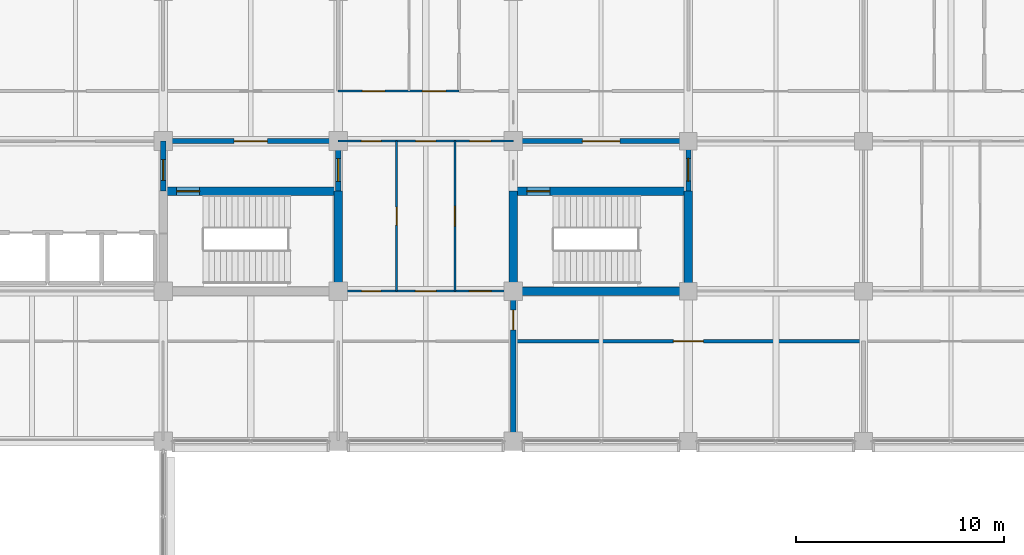
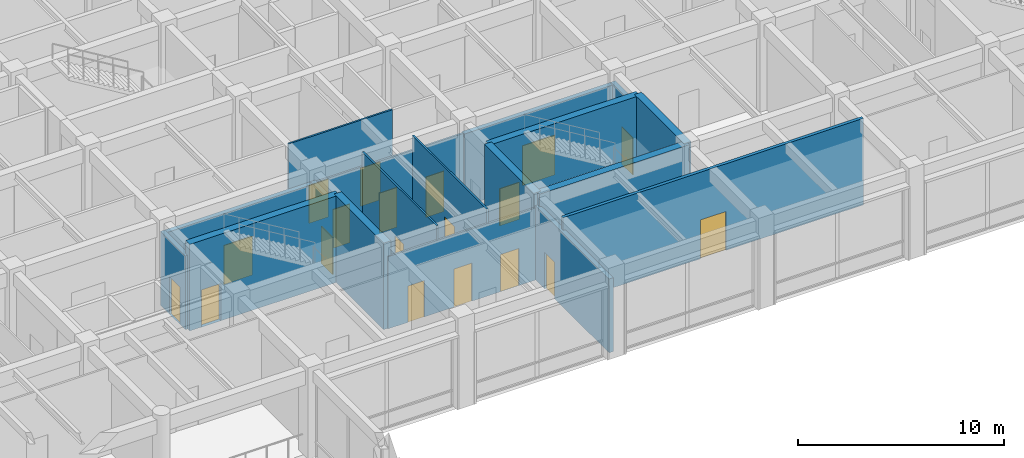
# One storey, part 32 of 51: 19 doors, 18 walls, 19 openings.
"""IFC4 building model written with IfcOpenShell, lengths in metres."""

from ifc_helpers import new_model, si_unit, direction, frame, frame_2d, origin, place, context, subcontext, project, spatial, rectangle, extrude, material, layer, layer_set, type_object, element, fill, save


model = new_model("IFC4")

# Units and contexts
model_context = context("Model", 3, precision=1e-05, world=origin(), true_north=direction((0.0, 1.0)))
body_context = subcontext(model_context, "Body", "Model", "MODEL_VIEW")
ifc_project = project(units=[si_unit("LENGTHUNIT", "METRE"), si_unit("AREAUNIT", "SQUARE_METRE"), si_unit("VOLUMEUNIT", "CUBIC_METRE"), si_unit("PLANEANGLEUNIT", "RADIAN"), si_unit("MASSUNIT", "GRAM", prefix="KILO")], contexts=[model_context])

# Site, building, storey
site_placement = place(None, origin())
site = spatial("IfcSite", under=ifc_project, at=site_placement, CompositionType="ELEMENT")
building_placement = place(site_placement, origin())
building = spatial("IfcBuilding", under=site, at=building_placement, Name="Chengyuan Square Courthouse", CompositionType="ELEMENT")
storey_placement = place(building_placement, frame((0.0, 0.0, 10.800048828125)))
storey = spatial("IfcBuildingStorey", under=building, at=storey_placement, Name="L03", CompositionType="ELEMENT", Elevation=10.800048828125)

# Wall, opening, door
ifc_material_1 = material(Name="Concrete C40", Category="concrete")
ifc_layer_1 = layer(ifc_material_1, 0.25)
ifc_layer_set_1 = layer_set([ifc_layer_1], Name="Concrete C40")
wall_type_1 = type_object("IfcWallType", Name="WL-FW1", PredefinedType="STANDARD", material=ifc_layer_set_1)
wall_1_placement = place(storey_placement, frame((100.800048828125, 93.60009765625, 0.0), z_axis=(0.0, 0.0, 1.0), x_axis=(1.0, 0.0, 0.0)))
wall_1 = element("IfcWall", 1, at=wall_1_placement, inside=storey, type_object=wall_type_1, Name="Interior Wall WL-L03-I1455", PredefinedType="STANDARD", context=body_context, shape_type="SweptSolid", body=[
    extrude(rectangle(XDim=8.39990234375, YDim=0.25, at=frame_2d((4.199951171875, 0.0))), origin(), (0.0, 0.0, 1.0), 4.27001953125),
])
opening_1_placement = place(wall_1_placement, frame((3.39990234375, 0.0, 0.0)))
opening_1 = element("IfcOpeningElement", 2, at=opening_1_placement, cuts=wall_1, Name="Opening DR-1337", PredefinedType="OPENING", context=body_context, shape_type="SweptSolid", body=[
    extrude(rectangle(XDim=1.60009765625, YDim=2.300048828125, at=frame_2d((0.800048828125, 1.14990234375))), frame((0.0, 0.136962890625, 0.0), z_axis=(0.0, -1.0, 0.0), x_axis=(1.0, 0.0, 0.0)), (0.0, 0.0, 1.0), 0.27392578125),
])
ifc_material_2 = material(Name="Steel Q235B Glazed Fire Door", Category="steel")
door_type_1 = type_object("IfcDoorType", Name="DT-17", OperationType="DOUBLE_DOOR_SINGLE_SWING", PredefinedType="DOOR", material=ifc_material_2)
door_1_placement = place(opening_1_placement, frame((1.60009765625, 0.0, 0.0), z_axis=(0.0, 0.0, 1.0), x_axis=(-1.0, 0.0, 0.0)))
door_1 = element("IfcDoor", 3, at=door_1_placement, inside=storey, type_object=door_type_1, Name="Interior Door DR-1337", OperationType="DOUBLE_DOOR_SINGLE_SWING", OverallHeight=2.300048828125, OverallWidth=1.60009765625, PredefinedType="DOOR", context=body_context, shape_type="SweptSolid", body=[
    extrude(rectangle(XDim=1.60009765625, YDim=2.300048828125, at=frame_2d((0.800048828125, 1.14990234375))), frame((0.0, 0.02490234375, 0.0), z_axis=(0.0, -1.0, 0.0), x_axis=(1.0, 0.0, 0.0)), (0.0, 0.0, 1.0), 0.050048828125),
])
fill(opening_1, door_1)

wall_2_placement = place(storey_placement, frame((117.60009765625, 93.60009765625, 0.0), z_axis=(0.0, 0.0, 1.0), x_axis=(1.0, 0.0, 0.0)))
wall_2 = element("IfcWall", 4, at=wall_2_placement, inside=storey, type_object=wall_type_1, Name="Interior Wall WL-L03-I1457", PredefinedType="STANDARD", context=body_context, shape_type="SweptSolid", body=[
    extrude(rectangle(XDim=8.39990234375, YDim=0.25, at=frame_2d((4.199951171875, 0.0))), origin(), (0.0, 0.0, 1.0), 4.27001953125),
])
opening_2_placement = place(wall_2_placement, frame((3.3125, 0.0, 0.0)))
opening_2 = element("IfcOpeningElement", 5, at=opening_2_placement, cuts=wall_2, Name="Opening DR-1342", PredefinedType="OPENING", context=body_context, shape_type="SweptSolid", body=[
    extrude(rectangle(XDim=1.800048828125, YDim=2.35009765625, at=frame_2d((0.89990234375, 1.175048828125))), frame((0.0, 0.136962890625, 0.0), z_axis=(0.0, -1.0, 0.0), x_axis=(1.0, 0.0, 0.0)), (0.0, 0.0, 1.0), 0.27392578125),
])
door_type_2 = type_object("IfcDoorType", Name="DT-18", OperationType="DOUBLE_DOOR_SINGLE_SWING", PredefinedType="DOOR", material=ifc_material_2)
door_2_placement = place(opening_2_placement, frame((1.800048828125, 0.0, 0.0), z_axis=(0.0, 0.0, 1.0), x_axis=(-1.0, 0.0, 0.0)))
door_2 = element("IfcDoor", 6, at=door_2_placement, inside=storey, type_object=door_type_2, Name="Interior Door DR-1342", OperationType="DOUBLE_DOOR_SINGLE_SWING", OverallHeight=2.35009765625, OverallWidth=1.800048828125, PredefinedType="DOOR", context=body_context, shape_type="SweptSolid", body=[
    extrude(rectangle(XDim=1.800048828125, YDim=2.35009765625, at=frame_2d((0.89990234375, 1.175048828125))), frame((0.0, 0.02490234375, 0.0), z_axis=(0.0, -1.0, 0.0), x_axis=(1.0, 0.0, 0.0)), (0.0, 0.0, 1.0), 0.050048828125),
])
fill(opening_2, door_2)

wall_3_placement = place(storey_placement, frame((100.800048828125, 91.199951171875, 0.0), z_axis=(0.0, 0.0, 1.0), x_axis=(0.0, 1.0, 0.0)))
wall_3 = element("IfcWall", 7, at=wall_3_placement, inside=storey, type_object=wall_type_1, Name="Interior Wall WL-L03-I1670", PredefinedType="STANDARD", context=body_context, shape_type="SweptSolid", body=[
    extrude(rectangle(XDim=2.400146484375, YDim=0.25, at=frame_2d((1.2001953125, 0.0))), origin(), (0.0, 0.0, 1.0), 4.369873046875),
])
opening_3_placement = place(wall_3_placement, frame((0.514892578125, 0.0, 0.0)))
opening_3 = element("IfcOpeningElement", 8, at=opening_3_placement, cuts=wall_3, Name="Opening DR-1336", PredefinedType="OPENING", context=body_context, shape_type="SweptSolid", body=[
    extrude(rectangle(XDim=1.0, YDim=2.199951171875, at=frame_2d((0.5, 1.10009765625))), frame((0.0, 0.136962890625, 0.0), z_axis=(0.0, -1.0, 0.0), x_axis=(1.0, 0.0, 0.0)), (0.0, 0.0, 1.0), 0.27392578125),
])
ifc_material_3 = material(Name="Steel Q235B Fire Door", Category="steel")
door_type_3 = type_object("IfcDoorType", Name="DT-11", OperationType="NOTDEFINED", PredefinedType="DOOR", material=ifc_material_3)
door_3_placement = place(opening_3_placement, origin())
door_3 = element("IfcDoor", 9, at=door_3_placement, inside=storey, type_object=door_type_3, Name="Interior Door DR-1336", OperationType="SINGLE_SWING_RIGHT", OverallHeight=2.199951171875, OverallWidth=1.0, PredefinedType="DOOR", context=body_context, shape_type="SweptSolid", body=[
    extrude(rectangle(XDim=1.0, YDim=2.199951171875, at=frame_2d((0.5, 1.10009765625))), frame((0.0, 0.02490234375, 0.0), z_axis=(0.0, -1.0, 0.0), x_axis=(1.0, 0.0, 0.0)), (0.0, 0.0, 1.0), 0.050048828125),
])
fill(opening_3, door_3)

wall_4_placement = place(storey_placement, frame((109.199951171875, 91.199951171875, 0.0), z_axis=(0.0, 0.0, 1.0), x_axis=(0.0, 1.0, 0.0)))
wall_4 = element("IfcWall", 10, at=wall_4_placement, inside=storey, type_object=wall_type_1, Name="Interior Wall WL-L03-I1678", PredefinedType="STANDARD", context=body_context, shape_type="SweptSolid", body=[
    extrude(rectangle(XDim=2.400146484375, YDim=0.25, at=frame_2d((1.2001953125, 0.0))), origin(), (0.0, 0.0, 1.0), 4.369873046875),
])
opening_4_placement = place(wall_4_placement, frame((0.465087890625, 0.0, 0.0)))
opening_4 = element("IfcOpeningElement", 11, at=opening_4_placement, cuts=wall_4, Name="Opening DR-1338", PredefinedType="OPENING", context=body_context, shape_type="SweptSolid", body=[
    extrude(rectangle(XDim=1.10009765625, YDim=2.199951171875, at=frame_2d((0.550048828125, 1.10009765625))), frame((0.0, 0.136962890625, 0.0), z_axis=(0.0, -1.0, 0.0), x_axis=(1.0, 0.0, 0.0)), (0.0, 0.0, 1.0), 0.27392578125),
])
door_type_4 = type_object("IfcDoorType", Name="DT-10", OperationType="NOTDEFINED", PredefinedType="DOOR", material=ifc_material_3)
door_4_placement = place(opening_4_placement, origin())
door_4 = element("IfcDoor", 12, at=door_4_placement, inside=storey, type_object=door_type_4, Name="Interior Door DR-1338", OperationType="SINGLE_SWING_LEFT", OverallHeight=2.199951171875, OverallWidth=1.10009765625, PredefinedType="DOOR", context=body_context, shape_type="SweptSolid", body=[
    extrude(rectangle(XDim=1.10009765625, YDim=2.199951171875, at=frame_2d((0.550048828125, 1.10009765625))), frame((0.0, 0.02490234375, 0.0), z_axis=(0.0, -1.0, 0.0), x_axis=(1.0, 0.0, 0.0)), (0.0, 0.0, 1.0), 0.050048828125),
])
fill(opening_4, door_4)

wall_5_placement = place(storey_placement, frame((117.60009765625, 79.239990234375, 0.0), z_axis=(0.0, 0.0, 1.0), x_axis=(0.0, 1.0, 0.0)))
wall_5 = element("IfcWall", 13, at=wall_5_placement, inside=storey, type_object=wall_type_1, Name="Interior Wall WL-L03-I1691", PredefinedType="STANDARD", context=body_context, shape_type="SweptSolid", body=[
    extrude(rectangle(XDim=7.159912109375, YDim=0.25, at=frame_2d((3.580078125, 0.0))), origin(), (0.0, 0.0, 1.0), 4.369873046875),
])
opening_5_placement = place(wall_5_placement, frame((5.300048828125, 0.0, 0.0)))
opening_5 = element("IfcOpeningElement", 14, at=opening_5_placement, cuts=wall_5, Name="Opening DR-1586", PredefinedType="OPENING", context=body_context, shape_type="SweptSolid", body=[
    extrude(rectangle(XDim=0.949951171875, YDim=2.14990234375, at=frame_2d((0.47509765625, 1.074951171875))), frame((0.0, 0.136962890625, 0.0), z_axis=(0.0, -1.0, 0.0), x_axis=(1.0, 0.0, 0.0)), (0.0, 0.0, 1.0), 0.27392578125),
])
door_type_5 = type_object("IfcDoorType", Name="DT-12", OperationType="NOTDEFINED", PredefinedType="DOOR", material=ifc_material_3)
door_5_placement = place(opening_5_placement, origin())
door_5 = element("IfcDoor", 15, at=door_5_placement, inside=storey, type_object=door_type_5, Name="Interior Door DR-1586", OperationType="SINGLE_SWING_LEFT", OverallHeight=2.14990234375, OverallWidth=0.949951171875, PredefinedType="DOOR", context=body_context, shape_type="SweptSolid", body=[
    extrude(rectangle(XDim=0.949951171875, YDim=2.14990234375, at=frame_2d((0.47509765625, 1.074951171875))), frame((0.0, 0.02490234375, 0.0), z_axis=(0.0, -1.0, 0.0), x_axis=(1.0, 0.0, 0.0)), (0.0, 0.0, 1.0), 0.050048828125),
])
fill(opening_5, door_5)

wall_6_placement = place(storey_placement, frame((126.0, 91.199951171875, 0.0), z_axis=(0.0, 0.0, 1.0), x_axis=(0.0, 1.0, 0.0)))
wall_6 = element("IfcWall", 16, at=wall_6_placement, inside=storey, type_object=wall_type_1, Name="Interior Wall WL-L03-I1700", PredefinedType="STANDARD", context=body_context, shape_type="SweptSolid", body=[
    extrude(rectangle(XDim=2.400146484375, YDim=0.25, at=frame_2d((1.2001953125, 0.0))), origin(), (0.0, 0.0, 1.0), 4.369873046875),
])
opening_6_placement = place(wall_6_placement, frame((0.4775390625, 0.0, 0.0)))
opening_6 = element("IfcOpeningElement", 17, at=opening_6_placement, cuts=wall_6, Name="Opening DR-1344", PredefinedType="OPENING", context=body_context, shape_type="SweptSolid", body=[
    extrude(rectangle(XDim=1.10009765625, YDim=2.199951171875, at=frame_2d((0.550048828125, 1.10009765625))), frame((0.0, 0.136962890625, 0.0), z_axis=(0.0, -1.0, 0.0), x_axis=(1.0, 0.0, 0.0)), (0.0, 0.0, 1.0), 0.27392578125),
])
door_6_placement = place(opening_6_placement, origin())
door_6 = element("IfcDoor", 18, at=door_6_placement, inside=storey, type_object=door_type_4, Name="Interior Door DR-1344", OperationType="SINGLE_SWING_LEFT", OverallHeight=2.199951171875, OverallWidth=1.10009765625, PredefinedType="DOOR", context=body_context, shape_type="SweptSolid", body=[
    extrude(rectangle(XDim=1.10009765625, YDim=2.199951171875, at=frame_2d((0.550048828125, 1.10009765625))), frame((0.0, 0.02490234375, 0.0), z_axis=(0.0, -1.0, 0.0), x_axis=(1.0, 0.0, 0.0)), (0.0, 0.0, 1.0), 0.050048828125),
])
fill(opening_6, door_6)

ifc_material_4 = material(Name="Double-Stud Acoustic Gypsum Courtroom Partition")
ifc_layer_2 = layer(ifc_material_4, 0.179931640625)
ifc_layer_set_2 = layer_set([ifc_layer_2], Name="Double-Stud Acoustic Gypsum Courtroom Partition")
wall_type_2 = type_object("IfcWallType", Name="WL-PT1", PredefinedType="STANDARD", material=ifc_layer_set_2)
wall_7_placement = place(storey_placement, frame((117.60009765625, 84.0, 0.0), z_axis=(0.0, 0.0, 1.0), x_axis=(1.0, 0.0, 0.0)))
wall_7 = element("IfcWall", 19, at=wall_7_placement, inside=storey, type_object=wall_type_2, Name="Interior Wall WL-L03-I1415", PredefinedType="STANDARD", context=body_context, shape_type="SweptSolid", body=[
    extrude(rectangle(XDim=16.7998046875, YDim=0.179931640625, at=frame_2d((8.39990234375, 0.0))), origin(), (0.0, 0.0, 1.0), 5.119873046875),
])
opening_7_placement = place(wall_7_placement, frame((7.675048828125, 0.0, 0.0)))
opening_7 = element("IfcOpeningElement", 20, at=opening_7_placement, cuts=wall_7, Name="Opening DR-1591", PredefinedType="OPENING", context=body_context, shape_type="SweptSolid", body=[
    extrude(rectangle(XDim=1.449951171875, YDim=2.300048828125, at=frame_2d((0.72509765625, 1.14990234375))), frame((0.0, 0.10205078125, 0.0), z_axis=(0.0, -1.0, 0.0), x_axis=(1.0, 0.0, 0.0)), (0.0, 0.0, 1.0), 0.203857421875),
])
ifc_material_5 = material(Name="Acoustic Larch Veneer Double Door")
door_type_6 = type_object("IfcDoorType", Name="DT-25", OperationType="DOUBLE_DOOR_SINGLE_SWING", PredefinedType="DOOR", material=ifc_material_5)
door_7_placement = place(opening_7_placement, frame((1.449951171875, 0.0, 0.0), z_axis=(0.0, 0.0, 1.0), x_axis=(-1.0, 0.0, 0.0)))
door_7 = element("IfcDoor", 21, at=door_7_placement, inside=storey, type_object=door_type_6, Name="Interior Door DR-1591", OperationType="DOUBLE_DOOR_SINGLE_SWING", OverallHeight=2.300048828125, OverallWidth=1.449951171875, PredefinedType="DOOR", context=body_context, shape_type="SweptSolid", body=[
    extrude(rectangle(XDim=1.449951171875, YDim=2.300048828125, at=frame_2d((0.72509765625, 1.14990234375))), frame((0.0, 0.02490234375, 0.0), z_axis=(0.0, -1.0, 0.0), x_axis=(1.0, 0.0, 0.0)), (0.0, 0.0, 1.0), 0.050048828125),
])
fill(opening_7, door_7)

# Wall, openings, doors
ifc_material_6 = material(Name="Gypsum Plasterboard Acoustic Stud Partition")
ifc_layer_3 = layer(ifc_material_6, 0.10009765625)
ifc_layer_set_3 = layer_set([ifc_layer_3], Name="Gypsum Plasterboard Acoustic Stud Partition")
wall_type_3 = type_object("IfcWallType", Name="WL-PT6", PredefinedType="STANDARD", material=ifc_layer_set_3)
wall_8_placement = place(storey_placement, frame((109.199951171875, 86.39990234375, 0.0), z_axis=(0.0, 0.0, 1.0), x_axis=(1.0, 0.0, 0.0)))
wall_8 = element("IfcWall", 22, at=wall_8_placement, inside=storey, type_object=wall_type_3, Name="Interior Wall WL-L03-I1428", PredefinedType="STANDARD", context=body_context, shape_type="SweptSolid", body=[
    extrude(rectangle(XDim=8.400146484375, YDim=0.10009765625, at=frame_2d((4.2001953125, 0.0))), origin(), (0.0, 0.0, 1.0), 4.27001953125),
])
opening_8_placement = place(wall_8_placement, frame((1.125, 0.0, 0.0)))
opening_8 = element("IfcOpeningElement", 23, at=opening_8_placement, cuts=wall_8, Name="Opening DR-1546", PredefinedType="OPENING", context=body_context, shape_type="SweptSolid", body=[
    extrude(rectangle(XDim=0.919921875, YDim=2.14990234375, at=frame_2d((0.4599609375, 1.074951171875))), frame((0.0, 0.06201171875, 0.0), z_axis=(0.0, -1.0, 0.0), x_axis=(1.0, 0.0, 0.0)), (0.0, 0.0, 1.0), 0.1240234375),
])
opening_9_placement = place(wall_8_placement, frame((3.699951171875, 0.0, 0.0)))
opening_9 = element("IfcOpeningElement", 24, at=opening_9_placement, cuts=wall_8, Name="Opening DR-1548", PredefinedType="OPENING", context=body_context, shape_type="SweptSolid", body=[
    extrude(rectangle(XDim=1.0, YDim=2.25, at=frame_2d((0.5, 1.125))), frame((0.0, 0.06201171875, 0.0), z_axis=(0.0, -1.0, 0.0), x_axis=(1.0, 0.0, 0.0)), (0.0, 0.0, 1.0), 0.1240234375),
])
opening_10_placement = place(wall_8_placement, frame((6.294921875, 0.0, 0.0)))
opening_10 = element("IfcOpeningElement", 25, at=opening_10_placement, cuts=wall_8, Name="Opening DR-1549", PredefinedType="OPENING", context=body_context, shape_type="SweptSolid", body=[
    extrude(rectangle(XDim=1.0400390625, YDim=2.199951171875, at=frame_2d((0.52001953125, 1.10009765625))), frame((0.0, 0.06201171875, 0.0), z_axis=(0.0, -1.0, 0.0), x_axis=(1.0, 0.0, 0.0)), (0.0, 0.0, 1.0), 0.1240234375),
])
ifc_material_7 = material(Name="Acoustic Solid-Core Timber Door", Category="wood")
door_type_7 = type_object("IfcDoorType", Name="DT-29", OperationType="NOTDEFINED", PredefinedType="DOOR", material=ifc_material_7)
door_8_placement = place(opening_8_placement, origin())
door_8 = element("IfcDoor", 26, at=door_8_placement, inside=storey, type_object=door_type_7, Name="Interior Door DR-1546", OperationType="SINGLE_SWING_RIGHT", OverallHeight=2.14990234375, OverallWidth=0.919921875, PredefinedType="DOOR", context=body_context, shape_type="SweptSolid", body=[
    extrude(rectangle(XDim=0.919921875, YDim=2.14990234375, at=frame_2d((0.4599609375, 1.074951171875))), frame((0.0, 0.02490234375, 0.0), z_axis=(0.0, -1.0, 0.0), x_axis=(1.0, 0.0, 0.0)), (0.0, 0.0, 1.0), 0.050048828125),
])
fill(opening_8, door_8)
door_type_8 = type_object("IfcDoorType", Name="DT-31", OperationType="NOTDEFINED", PredefinedType="DOOR", material=ifc_material_7)
door_9_placement = place(opening_9_placement, origin())
door_9 = element("IfcDoor", 27, at=door_9_placement, inside=storey, type_object=door_type_8, Name="Interior Door DR-1548", OperationType="SINGLE_SWING_RIGHT", OverallHeight=2.25, OverallWidth=1.0, PredefinedType="DOOR", context=body_context, shape_type="SweptSolid", body=[
    extrude(rectangle(XDim=1.0, YDim=2.25, at=frame_2d((0.5, 1.125))), frame((0.0, 0.02490234375, 0.0), z_axis=(0.0, -1.0, 0.0), x_axis=(1.0, 0.0, 0.0)), (0.0, 0.0, 1.0), 0.050048828125),
])
fill(opening_9, door_9)
door_type_9 = type_object("IfcDoorType", Name="DT-32", OperationType="NOTDEFINED", PredefinedType="DOOR", material=ifc_material_7)
door_10_placement = place(opening_10_placement, origin())
door_10 = element("IfcDoor", 28, at=door_10_placement, inside=storey, type_object=door_type_9, Name="Interior Door DR-1549", OperationType="SINGLE_SWING_LEFT", OverallHeight=2.199951171875, OverallWidth=1.0400390625, PredefinedType="DOOR", context=body_context, shape_type="SweptSolid", body=[
    extrude(rectangle(XDim=1.0400390625, YDim=2.199951171875, at=frame_2d((0.52001953125, 1.10009765625))), frame((0.0, 0.02490234375, 0.0), z_axis=(0.0, -1.0, 0.0), x_axis=(1.0, 0.0, 0.0)), (0.0, 0.0, 1.0), 0.050048828125),
])
fill(opening_10, door_10)

wall_9_placement = place(storey_placement, frame((109.199951171875, 93.60009765625, 0.0), z_axis=(0.0, 0.0, 1.0), x_axis=(1.0, 0.0, 0.0)))
wall_9 = element("IfcWall", 29, at=wall_9_placement, inside=storey, type_object=wall_type_3, Name="Interior Wall WL-L03-I1456", PredefinedType="STANDARD", context=body_context, shape_type="SweptSolid", body=[
    extrude(rectangle(XDim=8.400146484375, YDim=0.10009765625, at=frame_2d((4.2001953125, 0.0))), origin(), (0.0, 0.0, 1.0), 4.27001953125),
])
opening_11_placement = place(wall_9_placement, frame((1.114990234375, 0.0, 0.0)))
opening_11 = element("IfcOpeningElement", 30, at=opening_11_placement, cuts=wall_9, Name="Opening DR-1488", PredefinedType="OPENING", context=body_context, shape_type="SweptSolid", body=[
    extrude(rectangle(XDim=0.93994140625, YDim=2.300048828125, at=frame_2d((0.469970703125, 1.14990234375))), frame((0.0, 0.06201171875, 0.0), z_axis=(0.0, -1.0, 0.0), x_axis=(1.0, 0.0, 0.0)), (0.0, 0.0, 1.0), 0.1240234375),
])
opening_12_placement = place(wall_9_placement, frame((3.7099609375, 0.0, 0.0)))
opening_12 = element("IfcOpeningElement", 31, at=opening_12_placement, cuts=wall_9, Name="Opening DR-1489", PredefinedType="OPENING", context=body_context, shape_type="SweptSolid", body=[
    extrude(rectangle(XDim=0.97998046875, YDim=2.35009765625, at=frame_2d((0.489990234375, 1.175048828125))), frame((0.0, 0.06201171875, 0.0), z_axis=(0.0, -1.0, 0.0), x_axis=(1.0, 0.0, 0.0)), (0.0, 0.0, 1.0), 0.1240234375),
])
opening_13_placement = place(wall_9_placement, frame((6.304931640625, 0.0, 0.0)))
opening_13 = element("IfcOpeningElement", 32, at=opening_13_placement, cuts=wall_9, Name="Opening DR-1490", PredefinedType="OPENING", context=body_context, shape_type="SweptSolid", body=[
    extrude(rectangle(XDim=1.02001953125, YDim=2.39990234375, at=frame_2d((0.510009765625, 1.199951171875))), frame((0.0, 0.06201171875, 0.0), z_axis=(0.0, -1.0, 0.0), x_axis=(1.0, 0.0, 0.0)), (0.0, 0.0, 1.0), 0.1240234375),
])
door_type_10 = type_object("IfcDoorType", Name="DT-39", OperationType="NOTDEFINED", PredefinedType="DOOR", material=ifc_material_7)
door_11_placement = place(opening_11_placement, origin())
door_11 = element("IfcDoor", 33, at=door_11_placement, inside=storey, type_object=door_type_10, Name="Interior Door DR-1488", OperationType="SINGLE_SWING_LEFT", OverallHeight=2.300048828125, OverallWidth=0.93994140625, PredefinedType="DOOR", context=body_context, shape_type="SweptSolid", body=[
    extrude(rectangle(XDim=0.93994140625, YDim=2.300048828125, at=frame_2d((0.469970703125, 1.14990234375))), frame((0.0, 0.02490234375, 0.0), z_axis=(0.0, -1.0, 0.0), x_axis=(1.0, 0.0, 0.0)), (0.0, 0.0, 1.0), 0.050048828125),
])
fill(opening_11, door_11)
door_type_11 = type_object("IfcDoorType", Name="DT-40", OperationType="NOTDEFINED", PredefinedType="DOOR", material=ifc_material_7)
door_12_placement = place(opening_12_placement, origin())
door_12 = element("IfcDoor", 34, at=door_12_placement, inside=storey, type_object=door_type_11, Name="Interior Door DR-1489", OperationType="SINGLE_SWING_RIGHT", OverallHeight=2.35009765625, OverallWidth=0.97998046875, PredefinedType="DOOR", context=body_context, shape_type="SweptSolid", body=[
    extrude(rectangle(XDim=0.97998046875, YDim=2.35009765625, at=frame_2d((0.489990234375, 1.175048828125))), frame((0.0, 0.02490234375, 0.0), z_axis=(0.0, -1.0, 0.0), x_axis=(1.0, 0.0, 0.0)), (0.0, 0.0, 1.0), 0.050048828125),
])
fill(opening_12, door_12)
door_type_12 = type_object("IfcDoorType", Name="DT-41", OperationType="NOTDEFINED", PredefinedType="DOOR", material=ifc_material_7)
door_13_placement = place(opening_13_placement, origin())
door_13 = element("IfcDoor", 35, at=door_13_placement, inside=storey, type_object=door_type_12, Name="Interior Door DR-1490", OperationType="SINGLE_SWING_LEFT", OverallHeight=2.39990234375, OverallWidth=1.02001953125, PredefinedType="DOOR", context=body_context, shape_type="SweptSolid", body=[
    extrude(rectangle(XDim=1.02001953125, YDim=2.39990234375, at=frame_2d((0.510009765625, 1.199951171875))), frame((0.0, 0.02490234375, 0.0), z_axis=(0.0, -1.0, 0.0), x_axis=(1.0, 0.0, 0.0)), (0.0, 0.0, 1.0), 0.050048828125),
])
fill(opening_13, door_13)

wall_10_placement = place(storey_placement, frame((109.199951171875, 96.0, 0.0), z_axis=(0.0, 0.0, 1.0), x_axis=(1.0, 0.0, 0.0)))
wall_10 = element("IfcWall", 36, at=wall_10_placement, inside=storey, type_object=wall_type_3, Name="Interior Wall WL-L03-I1469", PredefinedType="STANDARD", context=body_context, shape_type="SweptSolid", body=[
    extrude(rectangle(XDim=5.800048828125, YDim=0.10009765625, at=frame_2d((2.89990234375, 0.0))), origin(), (0.0, 0.0, 1.0), 5.119873046875),
])
opening_14_placement = place(wall_10_placement, frame((1.159912109375, 0.0, 0.0)))
opening_14 = element("IfcOpeningElement", 37, at=opening_14_placement, cuts=wall_10, Name="Opening DR-1482", PredefinedType="OPENING", context=body_context, shape_type="SweptSolid", body=[
    extrude(rectangle(XDim=1.080078125, YDim=2.25, at=frame_2d((0.5400390625, 1.125))), frame((0.0, 0.06201171875, 0.0), z_axis=(0.0, -1.0, 0.0), x_axis=(1.0, 0.0, 0.0)), (0.0, 0.0, 1.0), 0.1240234375),
])
opening_15_placement = place(wall_10_placement, frame((4.0400390625, 0.0, 0.0)))
opening_15 = element("IfcOpeningElement", 38, at=opening_15_placement, cuts=wall_10, Name="Opening DR-1483", PredefinedType="OPENING", context=body_context, shape_type="SweptSolid", body=[
    extrude(rectangle(XDim=1.1201171875, YDim=2.25, at=frame_2d((0.56005859375, 1.125))), frame((0.0, 0.06201171875, 0.0), z_axis=(0.0, -1.0, 0.0), x_axis=(1.0, 0.0, 0.0)), (0.0, 0.0, 1.0), 0.1240234375),
])
door_type_13 = type_object("IfcDoorType", Name="DT-33", OperationType="NOTDEFINED", PredefinedType="DOOR", material=ifc_material_7)
door_14_placement = place(opening_14_placement, origin())
door_14 = element("IfcDoor", 39, at=door_14_placement, inside=storey, type_object=door_type_13, Name="Interior Door DR-1482", OperationType="SINGLE_SWING_LEFT", OverallHeight=2.25, OverallWidth=1.080078125, PredefinedType="DOOR", context=body_context, shape_type="SweptSolid", body=[
    extrude(rectangle(XDim=1.080078125, YDim=2.25, at=frame_2d((0.5400390625, 1.125))), frame((0.0, 0.02490234375, 0.0), z_axis=(0.0, -1.0, 0.0), x_axis=(1.0, 0.0, 0.0)), (0.0, 0.0, 1.0), 0.050048828125),
])
fill(opening_14, door_14)
door_type_14 = type_object("IfcDoorType", Name="DT-34", OperationType="NOTDEFINED", PredefinedType="DOOR", material=ifc_material_7)
door_15_placement = place(opening_15_placement, origin())
door_15 = element("IfcDoor", 40, at=door_15_placement, inside=storey, type_object=door_type_14, Name="Interior Door DR-1483", OperationType="SINGLE_SWING_RIGHT", OverallHeight=2.25, OverallWidth=1.1201171875, PredefinedType="DOOR", context=body_context, shape_type="SweptSolid", body=[
    extrude(rectangle(XDim=1.1201171875, YDim=2.25, at=frame_2d((0.56005859375, 1.125))), frame((0.0, 0.02490234375, 0.0), z_axis=(0.0, -1.0, 0.0), x_axis=(1.0, 0.0, 0.0)), (0.0, 0.0, 1.0), 0.050048828125),
])
fill(opening_15, door_15)

# Wall, opening, door
wall_11_placement = place(storey_placement, frame((112.0, 86.39990234375, 0.0), z_axis=(0.0, 0.0, 1.0), x_axis=(0.0, 1.0, 0.0)))
wall_11 = element("IfcWall", 41, at=wall_11_placement, inside=storey, type_object=wall_type_3, Name="Interior Wall WL-L03-I1683", PredefinedType="STANDARD", context=body_context, shape_type="SweptSolid", body=[
    extrude(rectangle(XDim=7.2001953125, YDim=0.10009765625, at=frame_2d((3.60009765625, 0.0))), origin(), (0.0, 0.0, 1.0), 5.119873046875),
])
opening_16_placement = place(wall_11_placement, frame((3.169921875, 0.0, 0.0)))
opening_16 = element("IfcOpeningElement", 42, at=opening_16_placement, cuts=wall_11, Name="Opening DR-1545", PredefinedType="OPENING", context=body_context, shape_type="SweptSolid", body=[
    extrude(rectangle(XDim=0.860107421875, YDim=2.10009765625, at=frame_2d((0.43017578125, 1.050048828125))), frame((0.0, 0.06201171875, 0.0), z_axis=(0.0, -1.0, 0.0), x_axis=(1.0, 0.0, 0.0)), (0.0, 0.0, 1.0), 0.1240234375),
])
door_type_15 = type_object("IfcDoorType", Name="DT-28", OperationType="NOTDEFINED", PredefinedType="DOOR", material=ifc_material_7)
door_16_placement = place(opening_16_placement, origin())
door_16 = element("IfcDoor", 43, at=door_16_placement, inside=storey, type_object=door_type_15, Name="Interior Door DR-1545", OperationType="SINGLE_SWING_LEFT", OverallHeight=2.10009765625, OverallWidth=0.860107421875, PredefinedType="DOOR", context=body_context, shape_type="SweptSolid", body=[
    extrude(rectangle(XDim=0.860107421875, YDim=2.10009765625, at=frame_2d((0.43017578125, 1.050048828125))), frame((0.0, 0.02490234375, 0.0), z_axis=(0.0, -1.0, 0.0), x_axis=(1.0, 0.0, 0.0)), (0.0, 0.0, 1.0), 0.050048828125),
])
fill(opening_16, door_16)

wall_12_placement = place(storey_placement, frame((114.800048828125, 86.39990234375, 0.0), z_axis=(0.0, 0.0, 1.0), x_axis=(0.0, 1.0, 0.0)))
wall_12 = element("IfcWall", 44, at=wall_12_placement, inside=storey, type_object=wall_type_3, Name="Interior Wall WL-L03-I1688", PredefinedType="STANDARD", context=body_context, shape_type="SweptSolid", body=[
    extrude(rectangle(XDim=7.2001953125, YDim=0.10009765625, at=frame_2d((3.60009765625, 0.0))), origin(), (0.0, 0.0, 1.0), 5.119873046875),
])
opening_17_placement = place(wall_12_placement, frame((3.1201171875, 0.0, 0.0)))
opening_17 = element("IfcOpeningElement", 45, at=opening_17_placement, cuts=wall_12, Name="Opening DR-1547", PredefinedType="OPENING", context=body_context, shape_type="SweptSolid", body=[
    extrude(rectangle(XDim=0.9599609375, YDim=2.199951171875, at=frame_2d((0.47998046875, 1.10009765625))), frame((0.0, 0.06201171875, 0.0), z_axis=(0.0, -1.0, 0.0), x_axis=(1.0, 0.0, 0.0)), (0.0, 0.0, 1.0), 0.1240234375),
])
door_type_16 = type_object("IfcDoorType", Name="DT-30", OperationType="NOTDEFINED", PredefinedType="DOOR", material=ifc_material_7)
door_17_placement = place(opening_17_placement, origin())
door_17 = element("IfcDoor", 46, at=door_17_placement, inside=storey, type_object=door_type_16, Name="Interior Door DR-1547", OperationType="SINGLE_SWING_LEFT", OverallHeight=2.199951171875, OverallWidth=0.9599609375, PredefinedType="DOOR", context=body_context, shape_type="SweptSolid", body=[
    extrude(rectangle(XDim=0.9599609375, YDim=2.199951171875, at=frame_2d((0.47998046875, 1.10009765625))), frame((0.0, 0.02490234375, 0.0), z_axis=(0.0, -1.0, 0.0), x_axis=(1.0, 0.0, 0.0)), (0.0, 0.0, 1.0), 0.050048828125),
])
fill(opening_17, door_17)

# Wall
ifc_material_8 = material(Name="Concrete C50", Category="concrete")
ifc_layer_4 = layer(ifc_material_8, 0.39990234375)
ifc_layer_set_4 = layer_set([ifc_layer_4], Name="Concrete C50")
wall_type_4 = type_object("IfcWallType", Name="WL-SW1", PredefinedType="SHEAR", material=ifc_layer_set_4)
wall_13_placement = place(storey_placement, frame((117.60009765625, 86.39990234375, 0.0), z_axis=(0.0, 0.0, 1.0), x_axis=(1.0, 0.0, 0.0)))
element("IfcWall", 47, at=wall_13_placement, inside=storey, type_object=wall_type_4, Name="Interior Wall WL-L03-I1429", PredefinedType="SHEAR", context=body_context, shape_type="SweptSolid", body=[
    extrude(rectangle(XDim=8.39990234375, YDim=0.39990234375, at=frame_2d((4.199951171875, 0.0))), origin(), (0.0, 0.0, 1.0), 5.119873046875),
])

# Wall, opening, door
wall_14_placement = place(storey_placement, frame((100.800048828125, 91.199951171875, 0.0), z_axis=(0.0, 0.0, 1.0), x_axis=(1.0, 0.0, 0.0)))
wall_14 = element("IfcWall", 48, at=wall_14_placement, inside=storey, type_object=wall_type_4, Name="Interior Wall WL-L03-I1445", PredefinedType="SHEAR", context=body_context, shape_type="SweptSolid", body=[
    extrude(rectangle(XDim=8.39990234375, YDim=0.39990234375, at=frame_2d((4.199951171875, 0.0))), origin(), (0.0, 0.0, 1.0), 5.119873046875),
])
opening_18_placement = place(wall_14_placement, frame((0.64990234375, 0.0, 0.0)))
opening_18 = element("IfcOpeningElement", 49, at=opening_18_placement, cuts=wall_14, Name="Opening DR-1320", PredefinedType="OPENING", context=body_context, shape_type="SweptSolid", body=[
    extrude(rectangle(XDim=1.10009765625, YDim=2.199951171875, at=frame_2d((0.550048828125, 1.10009765625))), frame((0.0, 0.2119140625, 0.0), z_axis=(0.0, -1.0, 0.0), x_axis=(1.0, 0.0, 0.0)), (0.0, 0.0, 1.0), 0.423828125),
])
door_18_placement = place(opening_18_placement, frame((1.10009765625, 0.0, 0.0), z_axis=(0.0, 0.0, 1.0), x_axis=(-1.0, 0.0, 0.0)))
door_18 = element("IfcDoor", 50, at=door_18_placement, inside=storey, type_object=door_type_4, Name="Smoke-Proof Stairwell Fire Door ST-4 DR-1320", OperationType="SINGLE_SWING_LEFT", OverallHeight=2.199951171875, OverallWidth=1.10009765625, PredefinedType="DOOR", context=body_context, shape_type="SweptSolid", body=[
    extrude(rectangle(XDim=1.10009765625, YDim=2.199951171875, at=frame_2d((0.550048828125, 1.10009765625))), frame((0.0, 0.02490234375, 0.0), z_axis=(0.0, -1.0, 0.0), x_axis=(1.0, 0.0, 0.0)), (0.0, 0.0, 1.0), 0.050048828125),
])
fill(opening_18, door_18)

wall_15_placement = place(storey_placement, frame((117.60009765625, 91.199951171875, 0.0), z_axis=(0.0, 0.0, 1.0), x_axis=(1.0, 0.0, 0.0)))
wall_15 = element("IfcWall", 51, at=wall_15_placement, inside=storey, type_object=wall_type_4, Name="Interior Wall WL-L03-I1446", PredefinedType="SHEAR", context=body_context, shape_type="SweptSolid", body=[
    extrude(rectangle(XDim=8.39990234375, YDim=0.39990234375, at=frame_2d((4.199951171875, 0.0))), origin(), (0.0, 0.0, 1.0), 5.119873046875),
])
opening_19_placement = place(wall_15_placement, frame((0.64990234375, 0.0, 0.0)))
opening_19 = element("IfcOpeningElement", 52, at=opening_19_placement, cuts=wall_15, Name="Opening DR-1322", PredefinedType="OPENING", context=body_context, shape_type="SweptSolid", body=[
    extrude(rectangle(XDim=1.10009765625, YDim=2.199951171875, at=frame_2d((0.550048828125, 1.10009765625))), frame((0.0, 0.2119140625, 0.0), z_axis=(0.0, -1.0, 0.0), x_axis=(1.0, 0.0, 0.0)), (0.0, 0.0, 1.0), 0.423828125),
])
door_19_placement = place(opening_19_placement, frame((1.10009765625, 0.0, 0.0), z_axis=(0.0, 0.0, 1.0), x_axis=(-1.0, 0.0, 0.0)))
door_19 = element("IfcDoor", 53, at=door_19_placement, inside=storey, type_object=door_type_4, Name="Smoke-Proof Stairwell Fire Door ST-6 DR-1322", OperationType="SINGLE_SWING_LEFT", OverallHeight=2.199951171875, OverallWidth=1.10009765625, PredefinedType="DOOR", context=body_context, shape_type="SweptSolid", body=[
    extrude(rectangle(XDim=1.10009765625, YDim=2.199951171875, at=frame_2d((0.550048828125, 1.10009765625))), frame((0.0, 0.02490234375, 0.0), z_axis=(0.0, -1.0, 0.0), x_axis=(1.0, 0.0, 0.0)), (0.0, 0.0, 1.0), 0.050048828125),
])
fill(opening_19, door_19)

# Walls
for number, where, z_axis, x_axis, name in (
    (54, (109.199951171875, 86.39990234375, 0.0), (0.0, 0.0, 1.0), (0.0, 1.0, 0.0), "Interior Wall WL-L03-I1677"),
    (55, (117.60009765625, 86.39990234375, 0.0), (0.0, 0.0, 1.0), (0.0, 1.0, 0.0), "Interior Wall WL-L03-I1692"),
    (56, (126.0, 86.39990234375, 0.0), (0.0, 0.0, 1.0), (0.0, 1.0, 0.0), "Interior Wall WL-L03-I1699"),
):
    element("IfcWall", number, at=place(storey_placement, frame(where, z_axis=z_axis, x_axis=x_axis)), inside=storey, type_object=wall_type_4, Name=name, PredefinedType="SHEAR", context=body_context, shape_type="SweptSolid", body=[
        extrude(rectangle(XDim=4.800048828125, YDim=0.39990234375, at=frame_2d((2.39990234375, 0.0))), origin(), (0.0, 0.0, 1.0), 5.119873046875),
    ])

save(model, "model.ifc")
